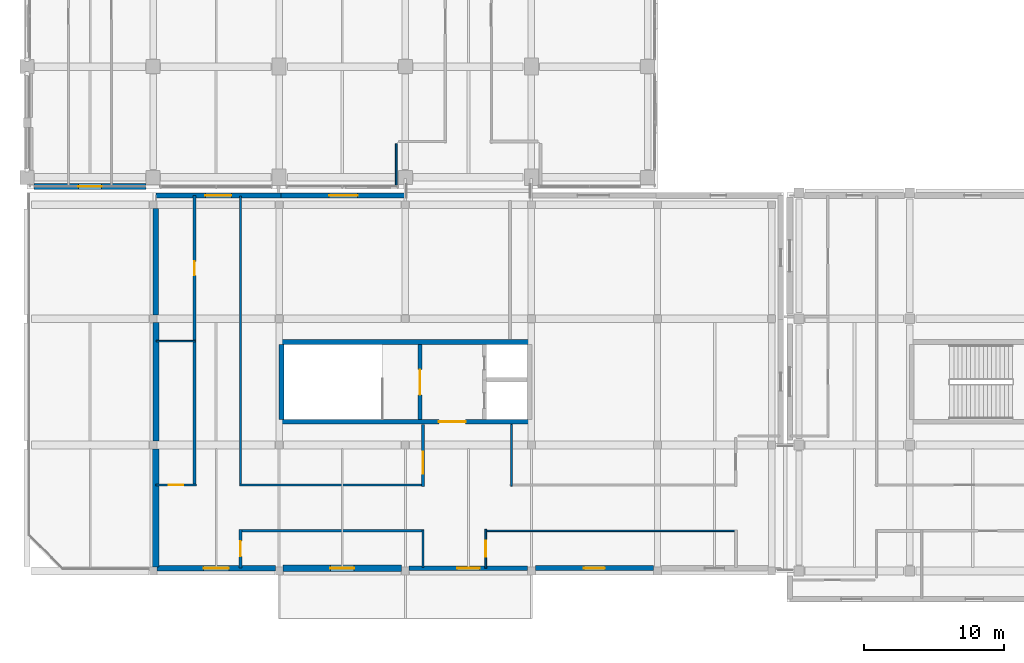
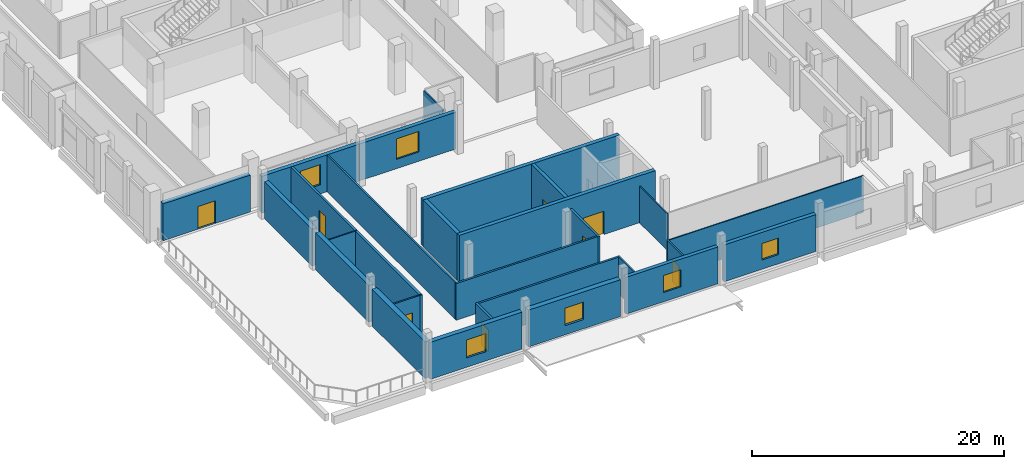
# One storey, part 65 of 111: 28 walls, 8 doors, 6 windows, 14 openings.
"""IFC4 building model written with IfcOpenShell, lengths in metres."""

import ifcopenshell
import ifcopenshell.guid

model = None  # the IFC model being written
_history = None  # IfcOwnerHistory: only IFC2X3 demands one
_inside = {}  # id of a spatial element -> (the spatial element, [elements in it])
_under = {}  # id of a project, library or spatial element -> (it, [spatial elements below it])
_declared = {}  # id of a project -> (the project, [libraries it declares])
_typed = {}  # id of a type object -> (the type object, [elements of that type])
_made_of = {}  # id of a material, layer set ... -> (it, [elements and type objects made of it])


def new_model(schema):
    """Start an empty IFC model of exactly this schema.

    Asked for "IFC4X3", IfcOpenShell would pick the latest addendum, in which some entities
    have other attributes; the version numbers below select the first issue.
    IFC2X3 requires an IfcOwnerHistory on every rooted entity: one is made here for all.
    """
    global model, _history
    if schema == "IFC4X3":
        model = ifcopenshell.file(schema_version=(4, 3, 0, 0))
    else:
        model = ifcopenshell.file(schema=schema)
    _inside.clear()
    _under.clear()
    _declared.clear()
    _typed.clear()
    _made_of.clear()
    _history = None
    if model.schema == "IFC2X3":
        org = make("IfcOrganization", Name="unknown")
        user = make(
            "IfcPersonAndOrganization",
            ThePerson=make("IfcPerson", FamilyName="unknown"),
            TheOrganization=org,
        )
        app = make(
            "IfcApplication",
            ApplicationDeveloper=org,
            Version="unknown",
            ApplicationFullName="unknown",
            ApplicationIdentifier="unknown",
        )
        _history = make(
            "IfcOwnerHistory",
            OwningUser=user,
            OwningApplication=app,
            ChangeAction="ADDED",
            CreationDate=0,
        )
    return model


def make(cls, **values):
    """One entity of the class cls with the attributes given. An attribute that is None is left unset."""
    return model.create_entity(
        cls, **{name: value for name, value in values.items() if value is not None}
    )


def rooted(cls, **values):
    """An entity with a GlobalId (a new one), such as an element, a storey or a relation."""
    return make(cls, GlobalId=ifcopenshell.guid.new(), OwnerHistory=_history, **values)


def si_unit(unit_type, name, prefix=None):
    """IfcSIUnit, for example si_unit("LENGTHUNIT", "METRE", prefix="MILLI")."""
    return make("IfcSIUnit", UnitType=unit_type, Prefix=prefix, Name=name)


def assignment(units):
    """IfcUnitAssignment: the units of a project."""
    return None if units is None else make("IfcUnitAssignment", Units=units)


def point(xyz):
    """IfcCartesianPoint."""
    return None if xyz is None else make("IfcCartesianPoint", Coordinates=xyz)


def direction(xyz):
    """IfcDirection."""
    return None if xyz is None else make("IfcDirection", DirectionRatios=xyz)


def frame(location, z_axis=None, x_axis=None):
    """IfcAxis2Placement3D, a coordinate frame: its origin and axes. An axis left out is left unset."""
    return make(
        "IfcAxis2Placement3D",
        Location=point(location),
        Axis=direction(z_axis),
        RefDirection=direction(x_axis),
    )


def frame_2d(location, x_axis=None):
    """IfcAxis2Placement2D, a coordinate frame in the plane: its origin and x axis."""
    return make(
        "IfcAxis2Placement2D", Location=point(location), RefDirection=direction(x_axis)
    )


def origin():
    """The frame at (0, 0, 0) with its axes left unset."""
    return frame((0.0, 0.0, 0.0))


def place(relative_to, where):
    """IfcLocalPlacement: puts the frame where relative to a parent placement (None: the world)."""
    return make(
        "IfcLocalPlacement", PlacementRelTo=relative_to, RelativePlacement=where
    )


def context(
    kind, dimensions, precision=None, world=None, true_north=None, identifier=None
):
    """IfcGeometricRepresentationContext, for example the 3D "Model" context."""
    return make(
        "IfcGeometricRepresentationContext",
        ContextIdentifier=identifier,
        ContextType=kind,
        CoordinateSpaceDimension=dimensions,
        Precision=precision,
        WorldCoordinateSystem=world,
        TrueNorth=true_north,
    )


def subcontext(parent, identifier, kind, view, scale=None):
    """IfcGeometricRepresentationSubContext, for example "Body" below "Model"."""
    return make(
        "IfcGeometricRepresentationSubContext",
        ContextIdentifier=identifier,
        ContextType=kind,
        ParentContext=parent,
        TargetScale=scale,
        TargetView=view,
    )


def project(units=None, contexts=None):
    """IfcProject with its units and contexts."""
    return rooted(
        "IfcProject",
        Name="project",
        RepresentationContexts=contexts,
        UnitsInContext=assignment(units),
    )


def spatial(cls, under=None, at=None, **own):
    """A site, building, storey or space (cls), placed at a placement, below another one or the project."""
    s = rooted(cls, ObjectPlacement=at, **own)
    if under is not None:
        _under.setdefault(under.id(), (under, []))[1].append(s)
    return s


def profile(cls, at=None, kind="AREA", **sizes):
    """A parametric profile (cls). Its sizes go by their IFC names, for example OverallWidth=200.0."""
    return make(cls, ProfileType=kind, Position=at, **sizes)


def rectangle(**sizes):
    """IfcRectangleProfileDef."""
    return profile("IfcRectangleProfileDef", **sizes)


def extrude(swept, where, along, depth):
    """IfcExtrudedAreaSolid: the profile swept, set in the frame where, extruded along a direction by depth."""
    return make(
        "IfcExtrudedAreaSolid",
        SweptArea=swept,
        Position=where,
        ExtrudedDirection=direction(along),
        Depth=depth,
    )


def shape(context_of_items, identifier, shape_type, items):
    """IfcShapeRepresentation: the items that make up one representation, for example the "Body"."""
    return make(
        "IfcShapeRepresentation",
        ContextOfItems=context_of_items,
        RepresentationIdentifier=identifier,
        RepresentationType=shape_type,
        Items=items,
    )


def material(Name=None, Category=None):
    """IfcMaterial."""
    return make("IfcMaterial", Name=Name, Category=Category)


def layer(
    of_material, thickness, ventilated=None, Name=None, Category=None, Priority=None
):
    """IfcMaterialLayer: one layer of a wall or slab, of a material (None: an air gap)."""
    return make(
        "IfcMaterialLayer",
        Material=of_material,
        LayerThickness=thickness,
        IsVentilated=ventilated,
        Name=Name,
        Category=Category,
        Priority=Priority,
    )


def layer_set(layers, Name=None):
    """IfcMaterialLayerSet."""
    return make("IfcMaterialLayerSet", MaterialLayers=layers, LayerSetName=Name)


def made_of(thing, what):
    """Note that an element or type object is made of a material, layer set ...; save() writes the relation."""
    if what is not None:
        _made_of.setdefault(what.id(), (what, []))[1].append(thing)
    return thing


def type_object(cls, material=None, **own):
    """A type object (cls), such as IfcWallType, which elements share."""
    return made_of(rooted(cls, **own), material)


def element(
    cls,
    number,
    at=None,
    inside=None,
    cuts=None,
    type_object=None,
    material=None,
    context=None,
    identifier="Body",
    shape_type=None,
    held_by="IfcProductDefinitionShape",
    body=None,
    shapes=None,
    **own,
):
    """One element of the class cls, such as IfcWall. Its Tag is "e" and its number.

    at: its placement. inside: the storey or other place that contains it. cuts: it is an
    opening in that element (IfcRelVoidsElement). A single representation is given by context,
    identifier, shape_type and body (its items); several are given by shapes. held_by: the class
    of the entity that holds the representations. save() writes the other relations.
    """
    e = rooted(cls, Tag="e%d" % number, ObjectPlacement=at, **own)
    if body is not None:
        shapes = [shape(context, identifier, shape_type, body)]
    if shapes is not None:
        e.Representation = make(held_by, Representations=shapes)
    if inside is not None:
        _inside.setdefault(inside.id(), (inside, []))[1].append(e)
    if cuts is not None:
        rooted(
            "IfcRelVoidsElement", RelatingBuildingElement=cuts, RelatedOpeningElement=e
        )
    if type_object is not None:
        _typed.setdefault(type_object.id(), (type_object, []))[1].append(e)
    return made_of(e, material)


def fill(opening, filler):
    """IfcRelFillsElement: the door or window that sits in an opening."""
    return rooted(
        "IfcRelFillsElement",
        RelatingOpeningElement=opening,
        RelatedBuildingElement=filler,
    )


def aggregate(whole, parts):
    """IfcRelAggregates: a whole, such as a stair, and the parts it consists of."""
    return rooted("IfcRelAggregates", RelatingObject=whole, RelatedObjects=parts)


def save(model, path):
    """Write the relations noted so far, then the file.

    IfcRelAggregates (storeys below a building ...), IfcRelContainedInSpatialStructure (elements
    in a storey), IfcRelDefinesByType, IfcRelAssociatesMaterial and IfcRelDeclares: one each for
    every whole, place, type object, material and project.
    """
    for whole, parts in _under.values():
        aggregate(whole, parts)
    for where, things in _inside.values():
        rooted(
            "IfcRelContainedInSpatialStructure",
            RelatedElements=things,
            RelatingStructure=where,
        )
    for kind, things in _typed.values():
        rooted("IfcRelDefinesByType", RelatedObjects=things, RelatingType=kind)
    for what, things in _made_of.values():
        rooted("IfcRelAssociatesMaterial", RelatedObjects=things, RelatingMaterial=what)
    for by, libraries in _declared.values():
        rooted("IfcRelDeclares", RelatingContext=by, RelatedDefinitions=libraries)
    model.write(path)


model = new_model("IFC4")

# Units and contexts
model_context = context("Model", 3, precision=1e-05, world=origin(), true_north=direction((0.0, 1.0)))
body_context = subcontext(model_context, "Body", "Model", "MODEL_VIEW")
ifc_project = project(units=[si_unit("LENGTHUNIT", "METRE"), si_unit("AREAUNIT", "SQUARE_METRE"), si_unit("VOLUMEUNIT", "CUBIC_METRE"), si_unit("PLANEANGLEUNIT", "RADIAN"), si_unit("MASSUNIT", "GRAM", prefix="KILO"), si_unit("THERMODYNAMICTEMPERATUREUNIT", "KELVIN"), si_unit("POWERUNIT", "WATT")], contexts=[model_context])

# Site, building, storey
site_placement = place(None, origin())
site = spatial("IfcSite", under=ifc_project, at=site_placement, CompositionType="ELEMENT")
building_placement = place(site_placement, origin())
building = spatial("IfcBuilding", under=site, at=building_placement, Name="Sindhuravela Promenade Stadium", CompositionType="ELEMENT")
storey_placement = place(building_placement, frame((0.0, 0.0, 9.60009765625)))
storey = spatial("IfcBuildingStorey", under=building, at=storey_placement, Name="L02", CompositionType="ELEMENT", Elevation=9.60009765625)

# Wall, opening, window
ifc_material_1 = material(Name="Terracotta clay brick masonry (15 MPa)", Category="masonry")
ifc_layer_1 = layer(ifc_material_1, 0.340087890625)
ifc_layer_set_1 = layer_set([ifc_layer_1], Name="Terracotta clay brick masonry (15 MPa)")
wall_type_1 = type_object("IfcWallType", Name="EX-WL-BRK340", PredefinedType="SOLIDWALL", material=ifc_layer_set_1)
wall_1_placement = place(storey_placement, frame((35.719970703125, 9.199951171875, 0.0), z_axis=(0.0, 0.0, 1.0), x_axis=(-1.0, 0.0, 0.0)))
wall_1 = element("IfcWall", 1, at=wall_1_placement, inside=storey, type_object=wall_type_1, Name="Exterior masonry wall EW06 Pavilion SW L02", PredefinedType="SOLIDWALL", context=body_context, shape_type="SweptSolid", body=[
    extrude(rectangle(XDim=8.43994140625, YDim=0.340087890625, at=frame_2d((4.219970703125, 0.0))), origin(), (0.0, 0.0, 1.0), 3.579833984375),
])
opening_1_placement = place(wall_1_placement, frame((3.419921875, 0.0, 0.89990234375)))
opening_1 = element("IfcOpeningElement", 2, at=opening_1_placement, cuts=wall_1, Name="Opening W06", PredefinedType="OPENING", context=body_context, shape_type="SweptSolid", body=[
    extrude(rectangle(XDim=1.60009765625, YDim=1.64990234375, at=frame_2d((0.800048828125, 0.824951171875))), frame((0.0, 0.179931640625, 0.0), z_axis=(0.0, -1.0, 0.0), x_axis=(1.0, 0.0, 0.0)), (0.0, 0.0, 1.0), 0.360107421875),
])
ifc_material_2 = material(Name="Tempered laminated low-E glass", Category="glass")
window_type_1 = type_object("IfcWindowType", Name="WN-FAC-1600x1650", PartitioningType="SINGLE_PANEL", PredefinedType="WINDOW", material=ifc_material_2)
window_1_placement = place(opening_1_placement, origin())
window_1 = element("IfcWindow", 3, at=window_1_placement, inside=storey, type_object=window_type_1, Name="Window W06 Pavilion SW L02", OverallHeight=1.64990234375, OverallWidth=1.60009765625, PartitioningType="SINGLE_PANEL", PredefinedType="WINDOW", context=body_context, shape_type="SweptSolid", body=[
    extrude(rectangle(XDim=1.60009765625, YDim=1.64990234375, at=frame_2d((0.800048828125, 0.824951171875))), frame((0.0, 0.030029296875, 0.0), z_axis=(0.0, -1.0, 0.0), x_axis=(1.0, 0.0, 0.0)), (0.0, 0.0, 1.0), 0.06005859375),
])
fill(opening_1, window_1)

ifc_layer_2 = layer(ifc_material_1, 0.360107421875)
ifc_layer_set_2 = layer_set([ifc_layer_2], Name="Terracotta clay brick masonry (15 MPa)")
wall_type_2 = type_object("IfcWallType", Name="EX-WL-BRK360", PredefinedType="SOLIDWALL", material=ifc_layer_set_2)
wall_2_placement = place(storey_placement, frame((18.1201171875, 35.800048828125, 0.0), z_axis=(0.0, 0.0, 1.0), x_axis=(1.0, 0.0, 0.0)))
wall_2 = element("IfcWall", 4, at=wall_2_placement, inside=storey, type_object=wall_type_2, Name="Exterior masonry wall EW05 Pavilion SW L02", PredefinedType="SOLIDWALL", context=body_context, shape_type="SweptSolid", body=[
    extrude(rectangle(XDim=8.919921875, YDim=0.360107421875, at=frame_2d((4.4599609375, 0.0))), origin(), (0.0, 0.0, 1.0), 3.579833984375),
])
opening_2_placement = place(wall_2_placement, frame((3.43505859375, 0.0, 0.89990234375)))
opening_2 = element("IfcOpeningElement", 5, at=opening_2_placement, cuts=wall_2, Name="Opening W29", PredefinedType="OPENING", context=body_context, shape_type="SweptSolid", body=[
    extrude(rectangle(XDim=2.050048828125, YDim=2.0, at=frame_2d((1.02490234375, 1.0))), frame((0.0, 0.18994140625, 0.0), z_axis=(0.0, -1.0, 0.0), x_axis=(1.0, 0.0, 0.0)), (0.0, 0.0, 1.0), 0.380126953125),
])
window_type_2 = type_object("IfcWindowType", Name="WN-FAC-2050x2000", PartitioningType="DOUBLE_PANEL_VERTICAL", PredefinedType="WINDOW", material=ifc_material_2)
window_2_placement = place(opening_2_placement, origin())
window_2 = element("IfcWindow", 6, at=window_2_placement, inside=storey, type_object=window_type_2, Name="Window W29 Pavilion SW L02", OverallHeight=2.0, OverallWidth=2.050048828125, PartitioningType="DOUBLE_PANEL_VERTICAL", PredefinedType="WINDOW", context=body_context, shape_type="SweptSolid", body=[
    extrude(rectangle(XDim=2.050048828125, YDim=2.0, at=frame_2d((1.02490234375, 1.0))), frame((0.0, 0.030029296875, 0.0), z_axis=(0.0, -1.0, 0.0), x_axis=(1.0, 0.0, 0.0)), (0.0, 0.0, 1.0), 0.06005859375),
])
fill(opening_2, window_2)

wall_3_placement = place(storey_placement, frame((44.719970703125, 9.199951171875, 0.0), z_axis=(0.0, 0.0, 1.0), x_axis=(-1.0, 0.0, 0.0)))
wall_3 = element("IfcWall", 7, at=wall_3_placement, inside=storey, type_object=wall_type_2, Name="Exterior masonry wall EW05 Pavilion SW L02", PredefinedType="SOLIDWALL", context=body_context, shape_type="SweptSolid", body=[
    extrude(rectangle(XDim=8.43994140625, YDim=0.360107421875, at=frame_2d((4.219970703125, 0.0))), origin(), (0.0, 0.0, 1.0), 3.579833984375),
])
opening_3_placement = place(wall_3_placement, frame((3.469970703125, 0.0, 0.89990234375)))
opening_3 = element("IfcOpeningElement", 8, at=opening_3_placement, cuts=wall_3, Name="Opening W05", PredefinedType="OPENING", context=body_context, shape_type="SweptSolid", body=[
    extrude(rectangle(XDim=1.5, YDim=1.60009765625, at=frame_2d((0.75, 0.800048828125))), frame((0.0, 0.18994140625, 0.0), z_axis=(0.0, -1.0, 0.0), x_axis=(1.0, 0.0, 0.0)), (0.0, 0.0, 1.0), 0.380126953125),
])
window_type_3 = type_object("IfcWindowType", Name="WN-FAC-1500x1600", PartitioningType="SINGLE_PANEL", PredefinedType="WINDOW", material=ifc_material_2)
window_3_placement = place(opening_3_placement, origin())
window_3 = element("IfcWindow", 9, at=window_3_placement, inside=storey, type_object=window_type_3, Name="Window W05 Pavilion SW L02", OverallHeight=1.60009765625, OverallWidth=1.5, PartitioningType="SINGLE_PANEL", PredefinedType="WINDOW", context=body_context, shape_type="SweptSolid", body=[
    extrude(rectangle(XDim=1.5, YDim=1.60009765625, at=frame_2d((0.75, 0.800048828125))), frame((0.0, 0.030029296875, 0.0), z_axis=(0.0, -1.0, 0.0), x_axis=(1.0, 0.0, 0.0)), (0.0, 0.0, 1.0), 0.06005859375),
])
fill(opening_3, window_3)

ifc_layer_3 = layer(ifc_material_1, 0.3798828125)
ifc_layer_set_3 = layer_set([ifc_layer_3], Name="Terracotta clay brick masonry (15 MPa)")
wall_type_3 = type_object("IfcWallType", Name="EX-WL-BRK380", PredefinedType="SOLIDWALL", material=ifc_layer_set_3)
wall_4_placement = place(storey_placement, frame((9.199951171875, 35.800048828125, 0.0), z_axis=(0.0, 0.0, 1.0), x_axis=(1.0, 0.0, 0.0)))
wall_4 = element("IfcWall", 10, at=wall_4_placement, inside=storey, type_object=wall_type_3, Name="Exterior masonry wall EW04 Pavilion SW L02", PredefinedType="SOLIDWALL", context=body_context, shape_type="SweptSolid", body=[
    extrude(rectangle(XDim=8.920166015625, YDim=0.3798828125, at=frame_2d((4.4599609375, 0.0))), origin(), (0.0, 0.0, 1.0), 3.579833984375),
])
opening_4_placement = place(wall_4_placement, frame((3.534912109375, 0.0, 0.89990234375)))
opening_4 = element("IfcOpeningElement", 11, at=opening_4_placement, cuts=wall_4, Name="Opening W28", PredefinedType="OPENING", context=body_context, shape_type="SweptSolid", body=[
    extrude(rectangle(XDim=1.85009765625, YDim=1.949951171875, at=frame_2d((0.925048828125, 0.97509765625))), frame((0.0, 0.199951171875, 0.0), z_axis=(0.0, -1.0, 0.0), x_axis=(1.0, 0.0, 0.0)), (0.0, 0.0, 1.0), 0.39990234375),
])
window_type_4 = type_object("IfcWindowType", Name="WN-FAC-1850x1950", PartitioningType="DOUBLE_PANEL_VERTICAL", PredefinedType="WINDOW", material=ifc_material_2)
window_4_placement = place(opening_4_placement, origin())
window_4 = element("IfcWindow", 12, at=window_4_placement, inside=storey, type_object=window_type_4, Name="Window W28 Pavilion SW L02", OverallHeight=1.949951171875, OverallWidth=1.85009765625, PartitioningType="DOUBLE_PANEL_VERTICAL", PredefinedType="WINDOW", context=body_context, shape_type="SweptSolid", body=[
    extrude(rectangle(XDim=1.85009765625, YDim=1.949951171875, at=frame_2d((0.925048828125, 0.97509765625))), frame((0.0, 0.030029296875, 0.0), z_axis=(0.0, -1.0, 0.0), x_axis=(1.0, 0.0, 0.0)), (0.0, 0.0, 1.0), 0.06005859375),
])
fill(opening_4, window_4)

# Wall
ifc_layer_4 = layer(ifc_material_1, 0.39990234375)
ifc_layer_set_4 = layer_set([ifc_layer_4], Name="Terracotta clay brick masonry (15 MPa)")
wall_type_4 = type_object("IfcWallType", Name="EX-WL-BRK400", PredefinedType="SOLIDWALL", material=ifc_layer_set_4)
wall_5_placement = place(storey_placement, frame((9.199951171875, 27.280029296875, 0.0), z_axis=(0.0, 0.0, 1.0), x_axis=(0.0, 1.0, 0.0)))
element("IfcWall", 13, at=wall_5_placement, inside=storey, type_object=wall_type_4, Name="Exterior masonry wall EW03 Pavilion SW L02", PredefinedType="SOLIDWALL", context=body_context, shape_type="SweptSolid", body=[
    extrude(rectangle(XDim=7.590087890625, YDim=0.39990234375, at=frame_2d((3.794921875, 0.0))), origin(), (0.0, 0.0, 1.0), 3.579833984375),
])

# Wall, opening, door
ifc_layer_5 = layer(ifc_material_1, 0.419921875)
ifc_layer_set_5 = layer_set([ifc_layer_5], Name="Terracotta clay brick masonry (15 MPa)")
wall_type_5 = type_object("IfcWallType", Name="EX-WL-BRK420", PredefinedType="SOLIDWALL", material=ifc_layer_set_5)
wall_6_placement = place(storey_placement, frame((8.4951171875, 36.449951171875, 0.0), z_axis=(0.0, 0.0, 1.0), x_axis=(-1.0, 0.0, 0.0)))
wall_6 = element("IfcWall", 14, at=wall_6_placement, inside=storey, type_object=wall_type_5, Name="Exterior masonry wall EW02 WEST L02", PredefinedType="SOLIDWALL", context=body_context, shape_type="SweptSolid", body=[
    extrude(rectangle(XDim=7.990234375, YDim=0.419921875, at=frame_2d((3.9951171875, 0.0))), origin(), (0.0, 0.0, 1.0), 3.579833984375),
])
opening_5_placement = place(wall_6_placement, frame((3.169921875, 0.0, 0.0)))
opening_5 = element("IfcOpeningElement", 15, at=opening_5_placement, cuts=wall_6, Name="Opening TD03", PredefinedType="OPENING", context=body_context, shape_type="SweptSolid", body=[
    extrude(rectangle(XDim=1.64990234375, YDim=2.199951171875, at=frame_2d((0.824951171875, 1.10009765625))), frame((0.0, 0.219970703125, 0.0), z_axis=(0.0, -1.0, 0.0), x_axis=(1.0, 0.0, 0.0)), (0.0, 0.0, 1.0), 0.43994140625),
])
ifc_material_3 = material(Name="Anodised architectural aluminium 6063-T6", Category="aluminium")
door_type_1 = type_object("IfcDoorType", Name="DR-TER-1650x2200", OperationType="DOUBLE_DOOR_SINGLE_SWING", PredefinedType="DOOR", material=ifc_material_3)
door_1_placement = place(opening_5_placement, origin())
door_1 = element("IfcDoor", 16, at=door_1_placement, inside=storey, type_object=door_type_1, Name="Terrace access door SW Pavilion West Terrace", OperationType="DOUBLE_DOOR_SINGLE_SWING", OverallHeight=2.199951171875, OverallWidth=1.64990234375, PredefinedType="DOOR", context=body_context, shape_type="SweptSolid", body=[
    extrude(rectangle(XDim=1.64990234375, YDim=2.199951171875, at=frame_2d((0.824951171875, 1.10009765625))), frame((0.0, 0.02490234375, 0.0), z_axis=(0.0, -1.0, 0.0), x_axis=(1.0, 0.0, 0.0)), (0.0, 0.0, 1.0), 0.050048828125),
])
fill(opening_5, door_1)

# Wall
wall_7_placement = place(storey_placement, frame((9.199951171875, 18.280029296875, 0.0), z_axis=(0.0, 0.0, 1.0), x_axis=(0.0, 1.0, 0.0)))
element("IfcWall", 17, at=wall_7_placement, inside=storey, type_object=wall_type_5, Name="Exterior masonry wall EW02 Pavilion SW L02", PredefinedType="SOLIDWALL", context=body_context, shape_type="SweptSolid", body=[
    extrude(rectangle(XDim=8.43994140625, YDim=0.419921875, at=frame_2d((4.219970703125, 0.0))), origin(), (0.0, 0.0, 1.0), 3.579833984375),
])

# Wall, opening, window
wall_8_placement = place(storey_placement, frame((17.719970703125, 9.199951171875, 0.0), z_axis=(0.0, 0.0, 1.0), x_axis=(-1.0, 0.0, 0.0)))
wall_8 = element("IfcWall", 18, at=wall_8_placement, inside=storey, type_object=wall_type_5, Name="Exterior masonry wall EW02 Pavilion SW L02", PredefinedType="SOLIDWALL", context=body_context, shape_type="SweptSolid", body=[
    extrude(rectangle(XDim=8.43994140625, YDim=0.419921875, at=frame_2d((4.219970703125, 0.0))), origin(), (0.0, 0.0, 1.0), 3.579833984375),
])
opening_6_placement = place(wall_8_placement, frame((3.320068359375, 0.0, 0.89990234375)))
opening_6 = element("IfcOpeningElement", 19, at=opening_6_placement, cuts=wall_8, Name="Opening W08", PredefinedType="OPENING", context=body_context, shape_type="SweptSolid", body=[
    extrude(rectangle(XDim=1.800048828125, YDim=1.75, at=frame_2d((0.89990234375, 0.875))), frame((0.0, 0.219970703125, 0.0), z_axis=(0.0, -1.0, 0.0), x_axis=(1.0, 0.0, 0.0)), (0.0, 0.0, 1.0), 0.43994140625),
])
window_type_5 = type_object("IfcWindowType", Name="WN-FAC-1800x1750", PartitioningType="DOUBLE_PANEL_VERTICAL", PredefinedType="WINDOW", material=ifc_material_2)
window_5_placement = place(opening_6_placement, origin())
window_5 = element("IfcWindow", 20, at=window_5_placement, inside=storey, type_object=window_type_5, Name="Window W08 Pavilion SW L02", OverallHeight=1.75, OverallWidth=1.800048828125, PartitioningType="DOUBLE_PANEL_VERTICAL", PredefinedType="WINDOW", context=body_context, shape_type="SweptSolid", body=[
    extrude(rectangle(XDim=1.800048828125, YDim=1.75, at=frame_2d((0.89990234375, 0.875))), frame((0.0, 0.030029296875, 0.0), z_axis=(0.0, -1.0, 0.0), x_axis=(1.0, 0.0, 0.0)), (0.0, 0.0, 1.0), 0.06005859375),
])
fill(opening_6, window_5)

# Wall
ifc_layer_6 = layer(ifc_material_1, 0.4599609375)
ifc_layer_set_6 = layer_set([ifc_layer_6], Name="Terracotta clay brick masonry (15 MPa)")
wall_type_6 = type_object("IfcWallType", Name="EX-WL-BRK460", PredefinedType="SOLIDWALL", material=ifc_layer_set_6)
wall_9_placement = place(storey_placement, frame((9.199951171875, 9.280029296875, 0.0), z_axis=(0.0, 0.0, 1.0), x_axis=(0.0, 1.0, 0.0)))
element("IfcWall", 21, at=wall_9_placement, inside=storey, type_object=wall_type_6, Name="Exterior masonry wall EW01 Pavilion SW L02", PredefinedType="SOLIDWALL", context=body_context, shape_type="SweptSolid", body=[
    extrude(rectangle(XDim=8.43994140625, YDim=0.4599609375, at=frame_2d((4.219970703125, 0.0))), origin(), (0.0, 0.0, 1.0), 3.579833984375),
])

# Wall, opening, window
wall_10_placement = place(storey_placement, frame((26.719970703125, 9.199951171875, 0.0), z_axis=(0.0, 0.0, 1.0), x_axis=(-1.0, 0.0, 0.0)))
wall_10 = element("IfcWall", 22, at=wall_10_placement, inside=storey, type_object=wall_type_6, Name="Exterior masonry wall EW01 Pavilion SW L02", PredefinedType="SOLIDWALL", context=body_context, shape_type="SweptSolid", body=[
    extrude(rectangle(XDim=8.43994140625, YDim=0.4599609375, at=frame_2d((4.219970703125, 0.0))), origin(), (0.0, 0.0, 1.0), 3.579833984375),
])
opening_7_placement = place(wall_10_placement, frame((3.3701171875, 0.0, 0.89990234375)))
opening_7 = element("IfcOpeningElement", 23, at=opening_7_placement, cuts=wall_10, Name="Opening W07", PredefinedType="OPENING", context=body_context, shape_type="SweptSolid", body=[
    extrude(rectangle(XDim=1.699951171875, YDim=1.699951171875, at=frame_2d((0.85009765625, 0.85009765625))), frame((0.0, 0.239990234375, 0.0), z_axis=(0.0, -1.0, 0.0), x_axis=(1.0, 0.0, 0.0)), (0.0, 0.0, 1.0), 0.47998046875),
])
window_type_6 = type_object("IfcWindowType", Name="WN-FAC-1700x1700", PartitioningType="SINGLE_PANEL", PredefinedType="WINDOW", material=ifc_material_2)
window_6_placement = place(opening_7_placement, origin())
window_6 = element("IfcWindow", 24, at=window_6_placement, inside=storey, type_object=window_type_6, Name="Window W07 Pavilion SW L02", OverallHeight=1.699951171875, OverallWidth=1.699951171875, PartitioningType="SINGLE_PANEL", PredefinedType="WINDOW", context=body_context, shape_type="SweptSolid", body=[
    extrude(rectangle(XDim=1.699951171875, YDim=1.699951171875, at=frame_2d((0.85009765625, 0.85009765625))), frame((0.0, 0.030029296875, 0.0), z_axis=(0.0, -1.0, 0.0), x_axis=(1.0, 0.0, 0.0)), (0.0, 0.0, 1.0), 0.06005859375),
])
fill(opening_7, window_6)

# Walls
ifc_material_4 = material(Name="Fire-rated gypsum partition board", Category="gypsum")
ifc_layer_7 = layer(ifc_material_4, 0.110107421875)
ifc_layer_set_7 = layer_set([ifc_layer_7], Name="Fire-rated gypsum partition board")
wall_type_7 = type_object("IfcWallType", Name="IN-WL-PAR110", PredefinedType="PARTITIONING", material=ifc_layer_set_7)
wall_11_placement = place(storey_placement, frame((34.580078125, 15.06005859375, 0.0), z_axis=(0.0, 0.0, 1.0), x_axis=(0.0, 1.0, 0.0)))
element("IfcWall", 25, at=wall_11_placement, inside=storey, type_object=wall_type_7, Name="Interior partition IW06 Pavilion SW L02", PredefinedType="PARTITIONING", context=body_context, shape_type="SweptSolid", body=[
    extrude(rectangle(XDim=4.412841796875, YDim=0.110107421875, at=frame_2d((2.20654296875, 0.0))), origin(), (0.0, 0.0, 1.0), 3.559814453125),
])
wall_12_placement = place(storey_placement, frame((32.659912109375, 11.860107421875, 0.0), z_axis=(0.0, 0.0, 1.0), x_axis=(1.0, 0.0, 0.0)))
element("IfcWall", 26, at=wall_12_placement, inside=storey, type_object=wall_type_7, Name="Interior partition IW06 Pavilion SW L02", PredefinedType="PARTITIONING", context=body_context, shape_type="SweptSolid", body=[
    extrude(rectangle(XDim=18.010009765625, YDim=0.110107421875, at=frame_2d((9.0048828125, 0.0))), origin(), (0.0, 0.0, 1.0), 3.559814453125),
])
wall_13_placement = place(storey_placement, frame((9.239990234375, 25.409912109375, 0.0), z_axis=(0.0, 0.0, 1.0), x_axis=(1.0, 0.0, 0.0)))
element("IfcWall", 27, at=wall_13_placement, inside=storey, type_object=wall_type_7, Name="Interior partition IW06 Pavilion SW L02", PredefinedType="PARTITIONING", context=body_context, shape_type="SweptSolid", body=[
    extrude(rectangle(XDim=2.800048828125, YDim=0.110107421875, at=frame_2d((1.39990234375, 0.0))), origin(), (0.0, 0.0, 1.0), 3.559814453125),
])
ifc_layer_8 = layer(ifc_material_4, 0.1298828125)
ifc_layer_set_8 = layer_set([ifc_layer_8], Name="Fire-rated gypsum partition board")
wall_type_8 = type_object("IfcWallType", Name="IN-WL-PAR130", PredefinedType="PARTITIONING", material=ifc_layer_set_8)
wall_14_placement = place(storey_placement, frame((26.360107421875, 39.5, 0.0), z_axis=(0.0, 0.0, 1.0), x_axis=(0.0, -1.0, 0.0)))
element("IfcWall", 28, at=wall_14_placement, inside=storey, type_object=wall_type_8, Name="Interior partition IW05 WEST L02", PredefinedType="PARTITIONING", context=body_context, shape_type="SweptSolid", body=[
    extrude(rectangle(XDim=3.010009765625, YDim=0.1298828125, at=frame_2d((1.5048828125, 0.0))), origin(), (0.0, 0.0, 1.0), 3.559814453125),
])

# Wall, opening, door
wall_15_placement = place(storey_placement, frame((32.739990234375, 11.97998046875, 0.0), z_axis=(0.0, 0.0, 1.0), x_axis=(0.0, -1.0, 0.0)))
wall_15 = element("IfcWall", 29, at=wall_15_placement, inside=storey, type_object=wall_type_8, Name="Corridor partition IW05 Accessible WC SW L02", PredefinedType="PARTITIONING", context=body_context, shape_type="SweptSolid", body=[
    extrude(rectangle(XDim=2.780029296875, YDim=0.1298828125, at=frame_2d((1.39013671875, 0.0))), origin(), (0.0, 0.0, 1.0), 3.559814453125),
])
opening_8_placement = place(wall_15_placement, frame((0.81494140625, 0.0, 0.0)))
opening_8 = element("IfcOpeningElement", 30, at=opening_8_placement, cuts=wall_15, Name="Opening ID05", PredefinedType="OPENING", context=body_context, shape_type="SweptSolid", body=[
    extrude(rectangle(XDim=1.14990234375, YDim=2.14990234375, at=frame_2d((0.574951171875, 1.074951171875))), frame((0.0, 0.074951171875, 0.0), z_axis=(0.0, -1.0, 0.0), x_axis=(1.0, 0.0, 0.0)), (0.0, 0.0, 1.0), 0.14990234375),
])
ifc_material_5 = material(Name="Architectural teak timber leaf", Category="wood")
door_type_2 = type_object("IfcDoorType", Name="DR-INT-1150x2150", OperationType="NOTDEFINED", PredefinedType="DOOR", material=ifc_material_5)
door_2_placement = place(opening_8_placement, origin())
door_2 = element("IfcDoor", 31, at=door_2_placement, inside=storey, type_object=door_type_2, Name="Accessible WC SW L02 door", OperationType="SINGLE_SWING_RIGHT", OverallHeight=2.14990234375, OverallWidth=1.14990234375, PredefinedType="DOOR", context=body_context, shape_type="SweptSolid", body=[
    extrude(rectangle(XDim=1.14990234375, YDim=2.14990234375, at=frame_2d((0.574951171875, 1.074951171875))), frame((0.0, 0.02490234375, 0.0), z_axis=(0.0, -1.0, 0.0), x_axis=(1.0, 0.0, 0.0)), (0.0, 0.0, 1.0), 0.050048828125),
])
fill(opening_8, door_2)

wall_16_placement = place(storey_placement, frame((9.199951171875, 15.139892578125, 0.0), z_axis=(0.0, 0.0, 1.0), x_axis=(1.0, 0.0, 0.0)))
wall_16 = element("IfcWall", 32, at=wall_16_placement, inside=storey, type_object=wall_type_8, Name="Corridor partition IW05 Civic Exhibition Salon SW 3", PredefinedType="PARTITIONING", context=body_context, shape_type="SweptSolid", body=[
    extrude(rectangle(XDim=2.880126953125, YDim=0.1298828125, at=frame_2d((1.43994140625, 0.0))), origin(), (0.0, 0.0, 1.0), 3.559814453125),
])
opening_9_placement = place(wall_16_placement, frame((0.9150390625, 0.0, 0.0)))
opening_9 = element("IfcOpeningElement", 33, at=opening_9_placement, cuts=wall_16, Name="Opening ID07", PredefinedType="OPENING", context=body_context, shape_type="SweptSolid", body=[
    extrude(rectangle(XDim=1.050048828125, YDim=2.10009765625, at=frame_2d((0.52490234375, 1.050048828125))), frame((0.0, 0.074951171875, 0.0), z_axis=(0.0, -1.0, 0.0), x_axis=(1.0, 0.0, 0.0)), (0.0, 0.0, 1.0), 0.14990234375),
])
door_type_3 = type_object("IfcDoorType", Name="DR-INT-1050x2100", OperationType="NOTDEFINED", PredefinedType="DOOR", material=ifc_material_5)
door_3_placement = place(opening_9_placement, origin())
door_3 = element("IfcDoor", 34, at=door_3_placement, inside=storey, type_object=door_type_3, Name="Civic Exhibition Salon SW 3 door", OperationType="SINGLE_SWING_RIGHT", OverallHeight=2.10009765625, OverallWidth=1.050048828125, PredefinedType="DOOR", context=body_context, shape_type="SweptSolid", body=[
    extrude(rectangle(XDim=1.050048828125, YDim=2.10009765625, at=frame_2d((0.52490234375, 1.050048828125))), frame((0.0, 0.02490234375, 0.0), z_axis=(0.0, -1.0, 0.0), x_axis=(1.0, 0.0, 0.0)), (0.0, 0.0, 1.0), 0.050048828125),
])
fill(opening_9, door_3)

# Walls
ifc_layer_9 = layer(ifc_material_4, 0.14990234375)
ifc_layer_set_9 = layer_set([ifc_layer_9], Name="Fire-rated gypsum partition board")
wall_type_9 = type_object("IfcWallType", Name="IN-WL-PAR150", PredefinedType="PARTITIONING", material=ifc_layer_set_9)
wall_17_placement = place(storey_placement, frame((15.239990234375, 15.06005859375, 0.0), z_axis=(0.0, 0.0, 1.0), x_axis=(0.0, 1.0, 0.0)))
element("IfcWall", 35, at=wall_17_placement, inside=storey, type_object=wall_type_9, Name="Interior partition IW04 Pavilion SW L02", PredefinedType="PARTITIONING", context=body_context, shape_type="SweptSolid", body=[
    extrude(rectangle(XDim=20.699951171875, YDim=0.14990234375, at=frame_2d((10.35009765625, 0.0))), origin(), (0.0, 0.0, 1.0), 3.559814453125),
])
wall_18_placement = place(storey_placement, frame((28.260009765625, 11.93994140625, 0.0), z_axis=(0.0, 0.0, 1.0), x_axis=(0.0, -1.0, 0.0)))
element("IfcWall", 36, at=wall_18_placement, inside=storey, type_object=wall_type_9, Name="Interior partition IW04 Pavilion SW L02", PredefinedType="PARTITIONING", context=body_context, shape_type="SweptSolid", body=[
    extrude(rectangle(XDim=2.699951171875, YDim=0.14990234375, at=frame_2d((1.35009765625, 0.0))), origin(), (0.0, 0.0, 1.0), 3.559814453125),
])
ifc_layer_10 = layer(ifc_material_4, 0.175048828125)
ifc_layer_set_10 = layer_set([ifc_layer_10], Name="Fire-rated gypsum partition board")
wall_type_10 = type_object("IfcWallType", Name="IN-WL-PAR175", PredefinedType="PARTITIONING", material=ifc_layer_set_10)
for number, where, z_axis, x_axis, name in (
    (37, (28.340087890625, 15.139892578125, 0.0), (0.0, 0.0, 1.0), (-1.0, 0.0, 0.0), "Interior partition IW03 Pavilion SW L02"),
    (38, (15.159912109375, 11.860107421875, 0.0), (0.0, 0.0, 1.0), (1.0, 0.0, 0.0), "Interior partition IW03 Pavilion SW L02"),
):
    element("IfcWall", number, at=place(storey_placement, frame(where, z_axis=z_axis, x_axis=x_axis)), inside=storey, type_object=wall_type_10, Name=name, PredefinedType="PARTITIONING", context=body_context, shape_type="SweptSolid", body=[
        extrude(rectangle(XDim=13.18017578125, YDim=0.175048828125, at=frame_2d((6.590087890625, 0.0))), origin(), (0.0, 0.0, 1.0), 3.559814453125),
    ])

# Wall, opening, door
ifc_layer_11 = layer(ifc_material_4, 0.195068359375)
ifc_layer_set_11 = layer_set([ifc_layer_11], Name="Fire-rated gypsum partition board")
wall_type_11 = type_object("IfcWallType", Name="IN-WL-PAR195", PredefinedType="PARTITIONING", material=ifc_layer_set_11)
wall_19_placement = place(storey_placement, frame((28.260009765625, 15.02001953125, 0.0), z_axis=(0.0, 0.0, 1.0), x_axis=(0.0, 1.0, 0.0)))
wall_19 = element("IfcWall", 39, at=wall_19_placement, inside=storey, type_object=wall_type_11, Name="Corridor partition IW02 Civic Exhibition Salon SW", PredefinedType="PARTITIONING", context=body_context, shape_type="SweptSolid", body=[
    extrude(rectangle(XDim=4.452880859375, YDim=0.195068359375, at=frame_2d((2.2265625, 0.0))), origin(), (0.0, 0.0, 1.0), 3.559814453125),
])
opening_10_placement = place(wall_19_placement, frame((0.92578125, 0.0, 0.0)))
opening_10 = element("IfcOpeningElement", 40, at=opening_10_placement, cuts=wall_19, Name="Opening ID02", PredefinedType="OPENING", context=body_context, shape_type="SweptSolid", body=[
    extrude(rectangle(XDim=1.550048828125, YDim=2.199951171875, at=frame_2d((0.77490234375, 1.10009765625))), frame((0.0, 0.107421875, 0.0), z_axis=(0.0, -1.0, 0.0), x_axis=(1.0, 0.0, 0.0)), (0.0, 0.0, 1.0), 0.215087890625),
])
door_type_4 = type_object("IfcDoorType", Name="DR-INT-1550x2200", OperationType="DOUBLE_DOOR_SINGLE_SWING", PredefinedType="DOOR", material=ifc_material_5)
door_4_placement = place(opening_10_placement, origin())
door_4 = element("IfcDoor", 41, at=door_4_placement, inside=storey, type_object=door_type_4, Name="Civic Exhibition Salon SW door", OperationType="DOUBLE_DOOR_SINGLE_SWING", OverallHeight=2.199951171875, OverallWidth=1.550048828125, PredefinedType="DOOR", context=body_context, shape_type="SweptSolid", body=[
    extrude(rectangle(XDim=1.550048828125, YDim=2.199951171875, at=frame_2d((0.77490234375, 1.10009765625))), frame((0.0, 0.02490234375, 0.0), z_axis=(0.0, -1.0, 0.0), x_axis=(1.0, 0.0, 0.0)), (0.0, 0.0, 1.0), 0.050048828125),
])
fill(opening_10, door_4)

wall_20_placement = place(storey_placement, frame((15.239990234375, 11.97998046875, 0.0), z_axis=(0.0, 0.0, 1.0), x_axis=(0.0, -1.0, 0.0)))
wall_20 = element("IfcWall", 42, at=wall_20_placement, inside=storey, type_object=wall_type_11, Name="Corridor partition IW02 Pavilion Parkview Club Lounge SW 2", PredefinedType="PARTITIONING", context=body_context, shape_type="SweptSolid", body=[
    extrude(rectangle(XDim=2.780029296875, YDim=0.195068359375, at=frame_2d((1.39013671875, 0.0))), origin(), (0.0, 0.0, 1.0), 3.559814453125),
])
opening_11_placement = place(wall_20_placement, frame((0.840087890625, 0.0, 0.0)))
opening_11 = element("IfcOpeningElement", 43, at=opening_11_placement, cuts=wall_20, Name="Opening ID06", PredefinedType="OPENING", context=body_context, shape_type="SweptSolid", body=[
    extrude(rectangle(XDim=1.10009765625, YDim=2.10009765625, at=frame_2d((0.550048828125, 1.050048828125))), frame((0.0, 0.107421875, 0.0), z_axis=(0.0, -1.0, 0.0), x_axis=(1.0, 0.0, 0.0)), (0.0, 0.0, 1.0), 0.215087890625),
])
door_type_5 = type_object("IfcDoorType", Name="DR-INT-1100x2100", OperationType="NOTDEFINED", PredefinedType="DOOR", material=ifc_material_5)
door_5_placement = place(opening_11_placement, origin())
door_5 = element("IfcDoor", 44, at=door_5_placement, inside=storey, type_object=door_type_5, Name="Pavilion Parkview Club Lounge SW 2 door", OperationType="SINGLE_SWING_LEFT", OverallHeight=2.10009765625, OverallWidth=1.10009765625, PredefinedType="DOOR", context=body_context, shape_type="SweptSolid", body=[
    extrude(rectangle(XDim=1.10009765625, YDim=2.10009765625, at=frame_2d((0.550048828125, 1.050048828125))), frame((0.0, 0.02490234375, 0.0), z_axis=(0.0, -1.0, 0.0), x_axis=(1.0, 0.0, 0.0)), (0.0, 0.0, 1.0), 0.050048828125),
])
fill(opening_11, door_5)

wall_21_placement = place(storey_placement, frame((11.9599609375, 25.409912109375, 0.0), z_axis=(0.0, 0.0, 1.0), x_axis=(0.0, 1.0, 0.0)))
wall_21 = element("IfcWall", 45, at=wall_21_placement, inside=storey, type_object=wall_type_11, Name="Corridor partition IW02 Accessible WC SW L02 4", PredefinedType="PARTITIONING", context=body_context, shape_type="SweptSolid", body=[
    extrude(rectangle(XDim=10.39013671875, YDim=0.195068359375, at=frame_2d((5.195068359375, 0.0))), origin(), (0.0, 0.0, 1.0), 3.559814453125),
])
opening_12_placement = place(wall_21_placement, frame((4.695068359375, 0.0, 0.0)))
opening_12 = element("IfcOpeningElement", 46, at=opening_12_placement, cuts=wall_21, Name="Opening ID08", PredefinedType="OPENING", context=body_context, shape_type="SweptSolid", body=[
    extrude(rectangle(XDim=1.0, YDim=2.10009765625, at=frame_2d((0.5, 1.050048828125))), frame((0.0, 0.107421875, 0.0), z_axis=(0.0, -1.0, 0.0), x_axis=(1.0, 0.0, 0.0)), (0.0, 0.0, 1.0), 0.215087890625),
])
door_type_6 = type_object("IfcDoorType", Name="DR-INT-1000x2100", OperationType="NOTDEFINED", PredefinedType="DOOR", material=ifc_material_5)
door_6_placement = place(opening_12_placement, origin())
door_6 = element("IfcDoor", 47, at=door_6_placement, inside=storey, type_object=door_type_6, Name="Accessible WC SW L02 4 door", OperationType="SINGLE_SWING_LEFT", OverallHeight=2.10009765625, OverallWidth=1.0, PredefinedType="DOOR", context=body_context, shape_type="SweptSolid", body=[
    extrude(rectangle(XDim=1.0, YDim=2.10009765625, at=frame_2d((0.5, 1.050048828125))), frame((0.0, 0.02490234375, 0.0), z_axis=(0.0, -1.0, 0.0), x_axis=(1.0, 0.0, 0.0)), (0.0, 0.0, 1.0), 0.050048828125),
])
fill(opening_12, door_6)

# Wall
ifc_layer_12 = layer(ifc_material_4, 0.219970703125)
ifc_layer_set_12 = layer_set([ifc_layer_12], Name="Fire-rated gypsum partition board")
wall_type_12 = type_object("IfcWallType", Name="IN-WL-PAR220", PredefinedType="PARTITIONING", material=ifc_layer_set_12)
wall_22_placement = place(storey_placement, frame((11.9599609375, 25.3701171875, 0.0), z_axis=(0.0, 0.0, 1.0), x_axis=(0.0, -1.0, 0.0)))
element("IfcWall", 48, at=wall_22_placement, inside=storey, type_object=wall_type_12, Name="Interior partition IW01 Pavilion SW L02", PredefinedType="PARTITIONING", context=body_context, shape_type="SweptSolid", body=[
    extrude(rectangle(XDim=10.31005859375, YDim=0.219970703125, at=frame_2d((5.155029296875, 0.0))), origin(), (0.0, 0.0, 1.0), 3.559814453125),
])

# Wall, opening, door
ifc_material_6 = material(Name="Concrete M50", Category="concrete")
ifc_layer_13 = layer(ifc_material_6, 0.300048828125)
ifc_layer_set_13 = layer_set([ifc_layer_13], Name="Concrete M50")
wall_type_13 = type_object("IfcWallType", Name="RC-SW-300", PredefinedType="SHEAR", material=ifc_layer_set_13)
wall_23_placement = place(storey_placement, frame((28.050048828125, 19.824951171875, 0.0), z_axis=(0.0, 0.0, 1.0), x_axis=(0.0, 1.0, 0.0)))
wall_23 = element("IfcWall", 49, at=wall_23_placement, inside=storey, type_object=wall_type_13, Name="Core shear wall C13-ST (L02)", PredefinedType="SHEAR", context=body_context, shape_type="SweptSolid", body=[
    extrude(rectangle(XDim=5.35009765625, YDim=0.300048828125, at=frame_2d((2.675048828125, 0.0))), origin(), (0.0, 0.0, 1.0), 4.554931640625),
])
opening_13_placement = place(wall_23_placement, frame((1.75, 0.0, 0.0)))
opening_13 = element("IfcOpeningElement", 50, at=opening_13_placement, cuts=wall_23, Name="Opening FD01", PredefinedType="OPENING", context=body_context, shape_type="SweptSolid", body=[
    extrude(rectangle(XDim=1.800048828125, YDim=2.25, at=frame_2d((0.89990234375, 1.125))), frame((0.0, 0.159912109375, 0.0), z_axis=(0.0, -1.0, 0.0), x_axis=(1.0, 0.0, 0.0)), (0.0, 0.0, 1.0), 0.320068359375),
])
ifc_material_7 = material(Name="Architectural wrought steel E350", Category="steel")
door_type_7 = type_object("IfcDoorType", Name="DR-CORE-1800x2250", OperationType="DOUBLE_DOOR_SINGLE_SWING", PredefinedType="DOOR", material=ifc_material_7)
door_7_placement = place(opening_13_placement, origin())
door_7 = element("IfcDoor", 51, at=door_7_placement, inside=storey, type_object=door_type_7, Name="Stair GS01 lobby fire door (L02)", OperationType="DOUBLE_DOOR_SINGLE_SWING", OverallHeight=2.25, OverallWidth=1.800048828125, PredefinedType="DOOR", context=body_context, shape_type="SweptSolid", body=[
    extrude(rectangle(XDim=1.800048828125, YDim=2.25, at=frame_2d((0.89990234375, 1.125))), frame((0.0, 0.02490234375, 0.0), z_axis=(0.0, -1.0, 0.0), x_axis=(1.0, 0.0, 0.0)), (0.0, 0.0, 1.0), 0.050048828125),
])
fill(opening_13, door_7)

ifc_layer_14 = layer(ifc_material_6, 0.35009765625)
ifc_layer_set_14 = layer_set([ifc_layer_14], Name="Concrete M50")
wall_type_14 = type_object("IfcWallType", Name="RC-SW-350", PredefinedType="SHEAR", material=ifc_layer_set_14)
wall_24_placement = place(storey_placement, frame((18.0, 19.64990234375, 0.0), z_axis=(0.0, 0.0, 1.0), x_axis=(1.0, 0.0, 0.0)))
wall_24 = element("IfcWall", 52, at=wall_24_placement, inside=storey, type_object=wall_type_14, Name="Core shear wall C13-S (L02)", PredefinedType="SHEAR", context=body_context, shape_type="SweptSolid", body=[
    extrude(rectangle(XDim=18.0, YDim=0.35009765625, at=frame_2d((9.0, 0.0))), origin(), (0.0, 0.0, 1.0), 4.554931640625),
])
opening_14_placement = place(wall_24_placement, frame((11.39990234375, 0.0, 0.0)))
opening_14 = element("IfcOpeningElement", 53, at=opening_14_placement, cuts=wall_24, Name="Opening FD02", PredefinedType="OPENING", context=body_context, shape_type="SweptSolid", body=[
    extrude(rectangle(XDim=1.89990234375, YDim=2.25, at=frame_2d((0.949951171875, 1.125))), frame((0.0, 0.18505859375, 0.0), z_axis=(0.0, -1.0, 0.0), x_axis=(1.0, 0.0, 0.0)), (0.0, 0.0, 1.0), 0.3701171875),
])
door_type_8 = type_object("IfcDoorType", Name="DR-LOB-1900x2250", OperationType="DOUBLE_DOOR_SINGLE_SWING", PredefinedType="DOOR", material=ifc_material_7)
door_8_placement = place(opening_14_placement, origin())
door_8 = element("IfcDoor", 54, at=door_8_placement, inside=storey, type_object=door_type_8, Name="Protected lobby entrance door C13 (L02)", OperationType="DOUBLE_DOOR_SINGLE_SWING", OverallHeight=2.25, OverallWidth=1.89990234375, PredefinedType="DOOR", context=body_context, shape_type="SweptSolid", body=[
    extrude(rectangle(XDim=1.89990234375, YDim=2.25, at=frame_2d((0.949951171875, 1.125))), frame((0.0, 0.02490234375, 0.0), z_axis=(0.0, -1.0, 0.0), x_axis=(1.0, 0.0, 0.0)), (0.0, 0.0, 1.0), 0.050048828125),
])
fill(opening_14, door_8)

# Walls
wall_25_placement = place(storey_placement, frame((36.0, 25.35009765625, 0.0), z_axis=(0.0, 0.0, 1.0), x_axis=(-1.0, 0.0, 0.0)))
element("IfcWall", 55, at=wall_25_placement, inside=storey, type_object=wall_type_14, Name="Core shear wall C13-N (L02)", PredefinedType="SHEAR", context=body_context, shape_type="SweptSolid", body=[
    extrude(rectangle(XDim=18.0, YDim=0.35009765625, at=frame_2d((9.0, 0.0))), origin(), (0.0, 0.0, 1.0), 4.554931640625),
])
wall_26_placement = place(storey_placement, frame((18.14990234375, 25.175048828125, 0.0), z_axis=(0.0, 0.0, 1.0), x_axis=(0.0, -1.0, 0.0)))
element("IfcWall", 56, at=wall_26_placement, inside=storey, type_object=wall_type_14, Name="Core shear wall C13-W (L02)", PredefinedType="SHEAR", context=body_context, shape_type="SweptSolid", body=[
    extrude(rectangle(XDim=5.35009765625, YDim=0.35009765625, at=frame_2d((2.675048828125, 0.0))), origin(), (0.0, 0.0, 1.0), 4.554931640625),
])

save(model, "model.ifc")
